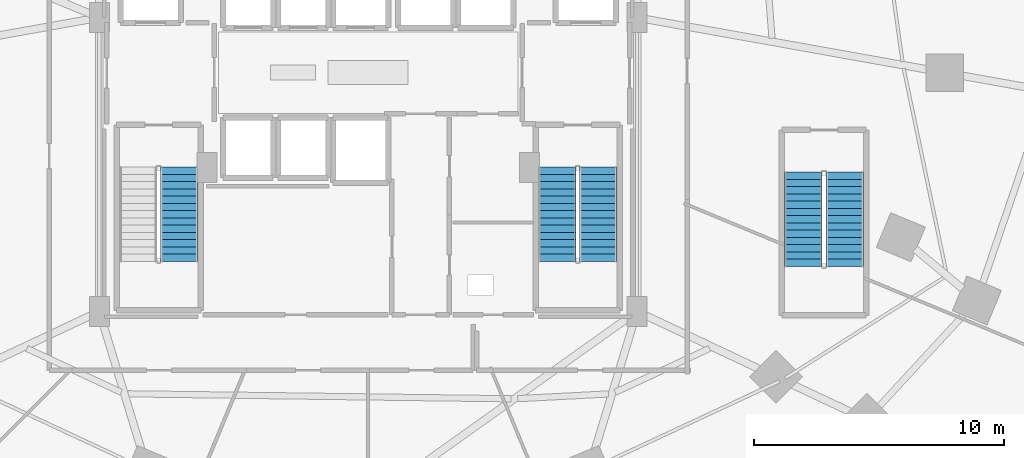
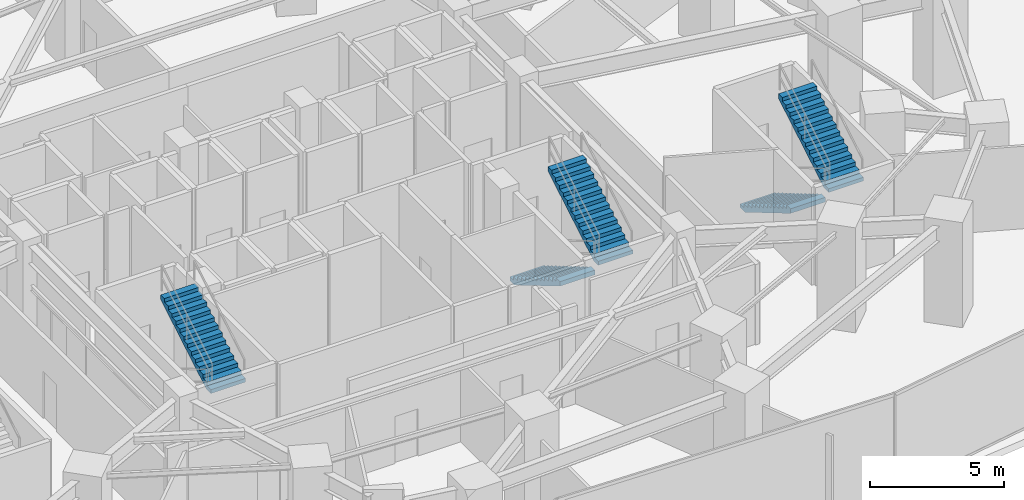
# One storey, part 25 of 27: 5 stair flights, 3 elements without a shape of their own.
"""IFC4 building model written with IfcOpenShell, lengths in metres."""

from ifc_helpers import new_model, si_unit, direction, frame, origin, place, context, subcontext, project, spatial, polyline, outline, extrude, material, type_object, element, aggregate, save


model = new_model("IFC4")

# Units and contexts
model_context = context("Model", 3, precision=1e-05, world=origin(), true_north=direction((0.0, 1.0)))
body_context = subcontext(model_context, "Body", "Model", "MODEL_VIEW")
ifc_project = project(units=[si_unit("LENGTHUNIT", "METRE"), si_unit("AREAUNIT", "SQUARE_METRE"), si_unit("VOLUMEUNIT", "CUBIC_METRE"), si_unit("PLANEANGLEUNIT", "RADIAN"), si_unit("MASSUNIT", "GRAM", prefix="KILO")], contexts=[model_context])

# Site, building, storey
site_placement = place(None, origin())
site = spatial("IfcSite", under=ifc_project, at=site_placement, CompositionType="ELEMENT")
building_placement = place(site_placement, origin())
building = spatial("IfcBuilding", under=site, at=building_placement, Name="Vorneva Point Tower", CompositionType="ELEMENT")
storey_placement = place(building_placement, frame((0.0, 0.0, 4.800048828125)))
storey = spatial("IfcBuildingStorey", under=building, at=storey_placement, Name="L01", CompositionType="ELEMENT", Elevation=4.800048828125)

# Stair, stair flight
ifc_material = material(Name="Concrete B50 (C40/50)", Category="concrete")
stair_type = type_object("IfcStairType", Name="ST-DOG-1500", PredefinedType="HALF_TURN_STAIR", material=ifc_material)
stair_1_placement = place(storey_placement, origin())
stair_1 = element("IfcStair", 1, at=stair_1_placement, inside=storey, type_object=stair_type, Name="L01 ST1", PredefinedType="HALF_TURN_STAIR")
stair_flight_type = type_object("IfcStairFlightType", Name="STF-1500", PredefinedType="STRAIGHT", material=ifc_material)
stair_flight_1_placement = place(storey_placement, frame((30.449951171875, 18.449951171875, 2.39990234375), z_axis=(0.0, 0.0, 1.0), x_axis=(0.0, 1.0, 0.0)))
stair_flight_1 = element("IfcStairFlight", 2, at=stair_flight_1_placement, type_object=stair_flight_type, Name="ST1 flight 2", NumberOfRisers=14, NumberOfTreads=13, PredefinedType="STRAIGHT", RiserHeight=0.171428571, TreadLength=0.29, context=body_context, shape_type="SweptSolid", body=[
    extrude(outline(polyline([(0.0, 0.0), (0.0, 0.17138671875), (0.2900390625, 0.17138671875), (0.2900390625, 0.3427734375), (0.580078125, 0.3427734375), (0.580078125, 0.514404296875), (0.8701171875, 0.514404296875), (0.8701171875, 0.685791015625), (1.159912109375, 0.685791015625), (1.159912109375, 0.857177734375), (1.449951171875, 0.857177734375), (1.449951171875, 1.028564453125), (1.739990234375, 1.028564453125), (1.739990234375, 1.199951171875), (2.030029296875, 1.199951171875), (2.030029296875, 1.371337890625), (2.320068359375, 1.371337890625), (2.320068359375, 1.54296875), (2.610107421875, 1.54296875), (2.610107421875, 1.71435546875), (2.89990234375, 1.71435546875), (2.89990234375, 1.8857421875), (3.18994140625, 1.8857421875), (3.18994140625, 2.05712890625), (3.47998046875, 2.05712890625), (3.47998046875, 2.228515625), (3.77001953125, 2.228515625), (3.77001953125, 2.39990234375), (3.77001953125, 2.01953125), (0.353515625, 0.0), (0.0, 0.0)])), frame((0.0, 0.75, 0.0), z_axis=(0.0, -1.0, 0.0), x_axis=(1.0, 0.0, 0.0)), (0.0, 0.0, 1.0), 1.5),
])
aggregate(stair_1, [stair_flight_1])

# Stair, stair flights
stair_2_placement = place(storey_placement, origin())
stair_2 = element("IfcStair", 3, at=stair_2_placement, inside=storey, type_object=stair_type, Name="L01 ST2", PredefinedType="HALF_TURN_STAIR")
stair_flight_2_placement = place(storey_placement, frame((45.550048828125, 22.219970703125, 0.0), z_axis=(0.0, 0.0, 1.0), x_axis=(0.0, -1.0, 0.0)))
stair_flight_2 = element("IfcStairFlight", 4, at=stair_flight_2_placement, type_object=stair_flight_type, Name="ST2 flight 1", NumberOfRisers=14, NumberOfTreads=13, PredefinedType="STRAIGHT", RiserHeight=0.171428571, TreadLength=0.29, context=body_context, shape_type="SweptSolid", body=[
    extrude(outline(polyline([(0.0, 0.0), (0.0, 0.17138671875), (0.2900390625, 0.17138671875), (0.2900390625, 0.3427734375), (0.580078125, 0.3427734375), (0.580078125, 0.514404296875), (0.8701171875, 0.514404296875), (0.8701171875, 0.685791015625), (1.159912109375, 0.685791015625), (1.159912109375, 0.857177734375), (1.449951171875, 0.857177734375), (1.449951171875, 1.028564453125), (1.739990234375, 1.028564453125), (1.739990234375, 1.199951171875), (2.030029296875, 1.199951171875), (2.030029296875, 1.371337890625), (2.320068359375, 1.371337890625), (2.320068359375, 1.54296875), (2.610107421875, 1.54296875), (2.610107421875, 1.71435546875), (2.89990234375, 1.71435546875), (2.89990234375, 1.8857421875), (3.18994140625, 1.8857421875), (3.18994140625, 2.05712890625), (3.47998046875, 2.05712890625), (3.47998046875, 2.228515625), (3.77001953125, 2.228515625), (3.77001953125, 2.39990234375), (3.77001953125, 2.01953125), (0.353515625, 0.0), (0.0, 0.0)])), frame((0.0, 0.75, 0.0), z_axis=(0.0, -1.0, 0.0), x_axis=(1.0, 0.0, 0.0)), (0.0, 0.0, 1.0), 1.5),
])
stair_flight_3_placement = place(storey_placement, frame((47.199951171875, 18.449951171875, 2.39990234375), z_axis=(0.0, 0.0, 1.0), x_axis=(0.0, 1.0, 0.0)))
stair_flight_3 = element("IfcStairFlight", 5, at=stair_flight_3_placement, type_object=stair_flight_type, Name="ST2 flight 2", NumberOfRisers=14, NumberOfTreads=13, PredefinedType="STRAIGHT", RiserHeight=0.171428571, TreadLength=0.29, context=body_context, shape_type="SweptSolid", body=[
    extrude(outline(polyline([(0.0, 0.0), (0.0, 0.17138671875), (0.2900390625, 0.17138671875), (0.2900390625, 0.3427734375), (0.580078125, 0.3427734375), (0.580078125, 0.514404296875), (0.8701171875, 0.514404296875), (0.8701171875, 0.685791015625), (1.159912109375, 0.685791015625), (1.159912109375, 0.857177734375), (1.449951171875, 0.857177734375), (1.449951171875, 1.028564453125), (1.739990234375, 1.028564453125), (1.739990234375, 1.199951171875), (2.030029296875, 1.199951171875), (2.030029296875, 1.371337890625), (2.320068359375, 1.371337890625), (2.320068359375, 1.54296875), (2.610107421875, 1.54296875), (2.610107421875, 1.71435546875), (2.89990234375, 1.71435546875), (2.89990234375, 1.8857421875), (3.18994140625, 1.8857421875), (3.18994140625, 2.05712890625), (3.47998046875, 2.05712890625), (3.47998046875, 2.228515625), (3.77001953125, 2.228515625), (3.77001953125, 2.39990234375), (3.77001953125, 2.01953125), (0.353515625, 0.0), (0.0, 0.0)])), frame((0.0, 0.75, 0.0), z_axis=(0.0, -1.0, 0.0), x_axis=(1.0, 0.0, 0.0)), (0.0, 0.0, 1.0), 1.5),
])
aggregate(stair_2, [stair_flight_2, stair_flight_3])

stair_3_placement = place(storey_placement, origin())
stair_3 = element("IfcStair", 6, at=stair_3_placement, inside=storey, type_object=stair_type, Name="L01 ST4", PredefinedType="HALF_TURN_STAIR")
stair_flight_4_placement = place(storey_placement, frame((55.39990234375, 22.02001953125, 0.0), z_axis=(0.0, 0.0, 1.0), x_axis=(0.0, -1.0, 0.0)))
stair_flight_4 = element("IfcStairFlight", 7, at=stair_flight_4_placement, type_object=stair_flight_type, Name="ST4 flight 1", NumberOfRisers=14, NumberOfTreads=13, PredefinedType="STRAIGHT", RiserHeight=0.171428571, TreadLength=0.29, context=body_context, shape_type="SweptSolid", body=[
    extrude(outline(polyline([(0.0, 0.0), (0.0, 0.17138671875), (0.2900390625, 0.17138671875), (0.2900390625, 0.3427734375), (0.580078125, 0.3427734375), (0.580078125, 0.514404296875), (0.8701171875, 0.514404296875), (0.8701171875, 0.685791015625), (1.159912109375, 0.685791015625), (1.159912109375, 0.857177734375), (1.449951171875, 0.857177734375), (1.449951171875, 1.028564453125), (1.739990234375, 1.028564453125), (1.739990234375, 1.199951171875), (2.030029296875, 1.199951171875), (2.030029296875, 1.371337890625), (2.320068359375, 1.371337890625), (2.320068359375, 1.54296875), (2.610107421875, 1.54296875), (2.610107421875, 1.71435546875), (2.89990234375, 1.71435546875), (2.89990234375, 1.8857421875), (3.18994140625, 1.8857421875), (3.18994140625, 2.05712890625), (3.47998046875, 2.05712890625), (3.47998046875, 2.228515625), (3.77001953125, 2.228515625), (3.77001953125, 2.39990234375), (3.77001953125, 2.01953125), (0.353515625, 0.0), (0.0, 0.0)])), frame((0.0, 0.75, 0.0), z_axis=(0.0, -1.0, 0.0), x_axis=(1.0, 0.0, 0.0)), (0.0, 0.0, 1.0), 1.5),
])
stair_flight_5_placement = place(storey_placement, frame((57.050048828125, 18.25, 2.39990234375), z_axis=(0.0, 0.0, 1.0), x_axis=(0.0, 1.0, 0.0)))
stair_flight_5 = element("IfcStairFlight", 8, at=stair_flight_5_placement, type_object=stair_flight_type, Name="ST4 flight 2", NumberOfRisers=14, NumberOfTreads=13, PredefinedType="STRAIGHT", RiserHeight=0.171428571, TreadLength=0.29, context=body_context, shape_type="SweptSolid", body=[
    extrude(outline(polyline([(0.0, 0.0), (0.0, 0.17138671875), (0.2900390625, 0.17138671875), (0.2900390625, 0.3427734375), (0.580078125, 0.3427734375), (0.580078125, 0.514404296875), (0.8701171875, 0.514404296875), (0.8701171875, 0.685791015625), (1.159912109375, 0.685791015625), (1.159912109375, 0.857177734375), (1.449951171875, 0.857177734375), (1.449951171875, 1.028564453125), (1.739990234375, 1.028564453125), (1.739990234375, 1.199951171875), (2.030029296875, 1.199951171875), (2.030029296875, 1.371337890625), (2.320068359375, 1.371337890625), (2.320068359375, 1.54296875), (2.610107421875, 1.54296875), (2.610107421875, 1.71435546875), (2.89990234375, 1.71435546875), (2.89990234375, 1.8857421875), (3.18994140625, 1.8857421875), (3.18994140625, 2.05712890625), (3.47998046875, 2.05712890625), (3.47998046875, 2.228515625), (3.77001953125, 2.228515625), (3.77001953125, 2.39990234375), (3.77001953125, 2.01953125), (0.353515625, 0.0), (0.0, 0.0)])), frame((0.0, 0.75, 0.0), z_axis=(0.0, -1.0, 0.0), x_axis=(1.0, 0.0, 0.0)), (0.0, 0.0, 1.0), 1.5),
])
aggregate(stair_3, [stair_flight_4, stair_flight_5])

save(model, "model.ifc")
